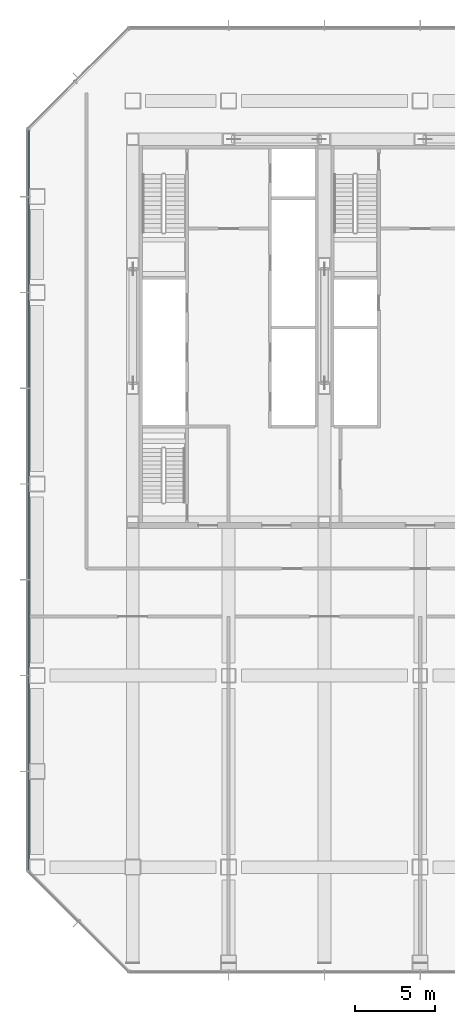
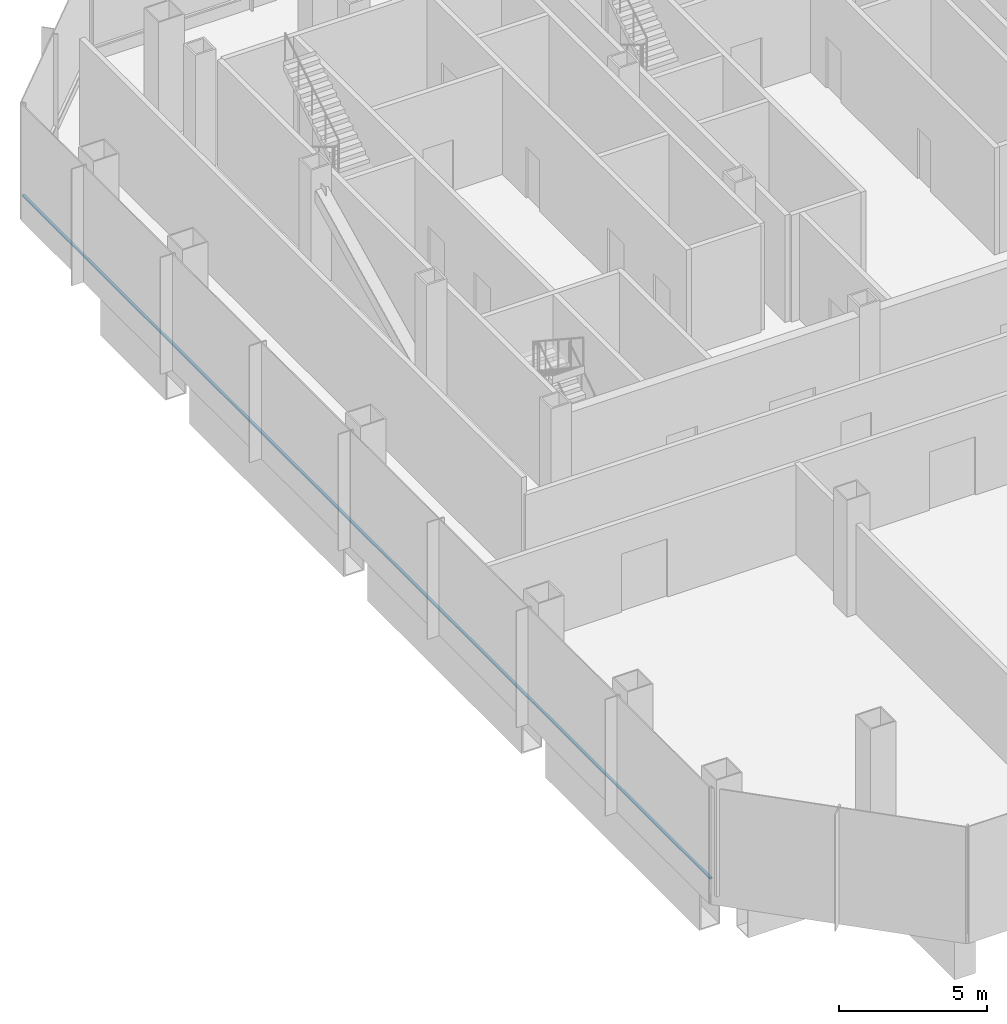
# One storey, part 5 of 34: 1 member, 1 element without a shape of its own.
"""IFC4 building model written with IfcOpenShell, lengths in metres."""

from ifc_helpers import new_model, si_unit, direction, frame, origin, origin_2d, place, context, subcontext, project, spatial, rectangle, extrude, material, material_profile, profile_set, type_object, element, aggregate, save


model = new_model("IFC4")

# Units and contexts
model_context = context("Model", 3, precision=1e-05, world=origin(), true_north=direction((0.0, 1.0)))
body_context = subcontext(model_context, "Body", "Model", "MODEL_VIEW")
ifc_project = project(units=[si_unit("LENGTHUNIT", "METRE"), si_unit("AREAUNIT", "SQUARE_METRE"), si_unit("VOLUMEUNIT", "CUBIC_METRE"), si_unit("PLANEANGLEUNIT", "RADIAN"), si_unit("MASSUNIT", "GRAM", prefix="KILO")], contexts=[model_context])

# Site, building, storey
site_placement = place(None, origin())
site = spatial("IfcSite", under=ifc_project, at=site_placement, CompositionType="ELEMENT")
building_placement = place(site_placement, origin())
building = spatial("IfcBuilding", under=site, at=building_placement, Name="Sorahane Residences", CompositionType="ELEMENT")
storey_placement = place(building_placement, frame((0.0, 0.0, 20.39990234375)))
storey = spatial("IfcBuildingStorey", under=building, at=storey_placement, Name="L02", CompositionType="ELEMENT", Elevation=20.39990234375)

# Curtain wall, member
ifc_material_1 = material(Name="Dark low-e glass and black anodised aluminium", Category="aluminium")
curtain_wall_type = type_object("IfcCurtainWallType", Name="Curtain wall CW-3 Podium unitised wall", PredefinedType="NOTDEFINED", material=ifc_material_1)
curtain_wall_placement = place(storey_placement, origin())
curtain_wall = element("IfcCurtainWall", 1, at=curtain_wall_placement, inside=storey, type_object=curtain_wall_type, Name="CW-3 curtain wall L02 W1", PredefinedType="NOTDEFINED")
ifc_material_2 = material(Name="Black anodised aluminium", Category="aluminium")
ifc_material_profile = material_profile(ifc_material_2, rectangle(XDim=0.10009765625, YDim=0.06005859375, at=origin_2d()), Name="Curtain wall transom CW-3 black anodised aluminium 60x100")
ifc_profile_set = profile_set([ifc_material_profile], Name="Black anodised aluminium")
member_type = type_object("IfcMemberType", Name="Curtain wall transom CW-3 black anodised aluminium 60x100", PredefinedType="USERDEFINED", material=ifc_profile_set)
member_placement = place(storey_placement, frame((-0.530029296875, 46.198486328125, 0.60009765625), z_axis=(0.0, -1.0, 0.0), x_axis=(1.0, 0.0, 0.0)))
member = element("IfcMember", 2, at=member_placement, type_object=member_type, Name="CW-3 transom L02 W1", ObjectType="TRANSOM", PredefinedType="USERDEFINED", context=body_context, shape_type="SweptSolid", body=[
    extrude(rectangle(XDim=0.10009765625, YDim=0.06005859375, at=origin_2d()), origin(), (0.0, 0.0, 1.0), 46.39697265625),
])
aggregate(curtain_wall, [member])

save(model, "model.ifc")
